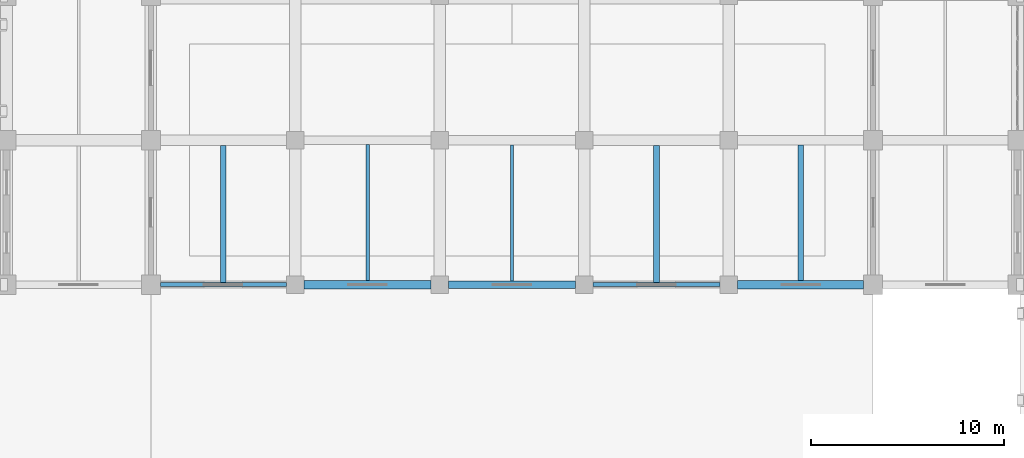
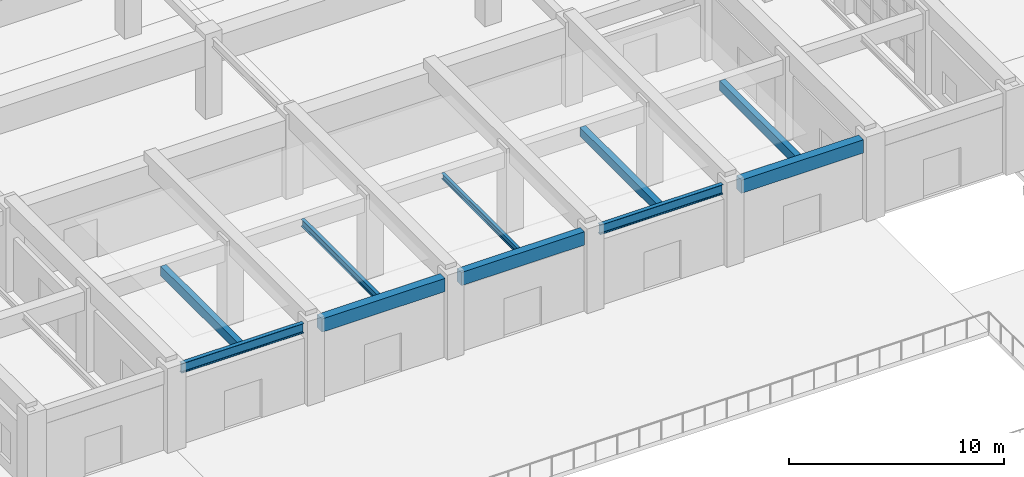
# One storey, part 23 of 122: 10 beams.
"""IFC4 building model written with IfcOpenShell, lengths in metres."""

from ifc_helpers import new_model, si_unit, direction, frame, origin, origin_2d, place, context, subcontext, project, spatial, rectangle, i_section, extrude, material, material_profile, profile_set, type_object, element, save


model = new_model("IFC4")

# Units and contexts
model_context = context("Model", 3, precision=1e-05, world=origin(), true_north=direction((0.0, 1.0)))
body_context = subcontext(model_context, "Body", "Model", "MODEL_VIEW")
ifc_project = project(units=[si_unit("LENGTHUNIT", "METRE"), si_unit("AREAUNIT", "SQUARE_METRE"), si_unit("VOLUMEUNIT", "CUBIC_METRE"), si_unit("PLANEANGLEUNIT", "RADIAN"), si_unit("MASSUNIT", "GRAM", prefix="KILO")], contexts=[model_context])

# Site, building, storey
site_placement = place(None, origin())
site = spatial("IfcSite", under=ifc_project, at=site_placement, CompositionType="ELEMENT")
building_placement = place(site_placement, origin())
building = spatial("IfcBuilding", under=site, at=building_placement, Name="Qasida Concert Hall", CompositionType="ELEMENT")
storey_placement = place(building_placement, origin())
storey = spatial("IfcBuildingStorey", under=building, at=storey_placement, Name="L00", CompositionType="ELEMENT", Elevation=0.0)

# Beams
ifc_material_1 = material(Name="Concrete C40/50", Category="concrete")
ifc_material_profile_1 = material_profile(ifc_material_1, rectangle(XDim=0.300048828125, YDim=0.550048828125, at=origin_2d()), Name="RC 300x550")
ifc_profile_set_1 = profile_set([ifc_material_profile_1], Name="Concrete C40/50")
beam_type_1 = type_object("IfcBeamType", Name="BM-J1", PredefinedType="JOIST", material=ifc_profile_set_1)
beam_1_placement = place(storey_placement, frame((63.75, 22.60498046875, 4.22509765625), z_axis=(0.0, 1.0, 0.0), x_axis=(-1.0, 0.0, 0.0)))
element("IfcBeam", 1, at=beam_1_placement, inside=storey, type_object=beam_type_1, Name="L00 secondary joist 0448", PredefinedType="JOIST", context=body_context, shape_type="SweptSolid", body=[
    extrude(rectangle(XDim=0.300048828125, YDim=0.550048828125, at=origin_2d()), origin(), (0.0, 0.0, 1.0), 7.135009765625),
])
beam_2_placement = place(storey_placement, frame((93.75, 22.72509765625, 4.22509765625), z_axis=(0.0, 1.0, 0.0), x_axis=(-1.0, 0.0, 0.0)))
element("IfcBeam", 2, at=beam_2_placement, inside=storey, type_object=beam_type_1, Name="L00 secondary joist 0456", PredefinedType="JOIST", context=body_context, shape_type="SweptSolid", body=[
    extrude(rectangle(XDim=0.300048828125, YDim=0.550048828125, at=origin_2d()), origin(), (0.0, 0.0, 1.0), 7.034912109375),
])
ifc_material_2 = material(Name="Steel S355J2", Category="steel")
ifc_material_profile_2 = material_profile(ifc_material_2, i_section(OverallWidth=0.179931640625, OverallDepth=0.39990234375, WebThickness=0.008544921875, FlangeThickness=0.013427734375, FilletRadius=0.02099609375, at=origin_2d()), Name="IPE 400")
ifc_profile_set_2 = profile_set([ifc_material_profile_2], Name="Steel S355J2")
beam_type_2 = type_object("IfcBeamType", Name="BM-J3", PredefinedType="JOIST", material=ifc_profile_set_2)
beam_3_placement = place(storey_placement, frame((71.25, 22.72509765625, 4.300048828125), z_axis=(0.0, 1.0, 0.0), x_axis=(-1.0, 0.0, 0.0)))
element("IfcBeam", 3, at=beam_3_placement, inside=storey, type_object=beam_type_2, Name="L00 secondary joist 0450", PredefinedType="JOIST", context=body_context, shape_type="SweptSolid", body=[
    extrude(i_section(OverallWidth=0.179931640625, OverallDepth=0.39990234375, WebThickness=0.008544921875, FlangeThickness=0.013427734375, FilletRadius=0.02099609375, at=origin_2d()), origin(), (0.0, 0.0, 1.0), 7.0498046875),
])
ifc_material_profile_3 = material_profile(ifc_material_2, i_section(OverallWidth=0.159912109375, OverallDepth=0.330078125, WebThickness=0.007568359375, FlangeThickness=0.011474609375, FilletRadius=0.01806640625, at=origin_2d()), Name="IPE 330")
ifc_profile_set_3 = profile_set([ifc_material_profile_3], Name="Steel S355J2")
beam_type_3 = type_object("IfcBeamType", Name="BM-J5", PredefinedType="JOIST", material=ifc_profile_set_3)
beam_4_placement = place(storey_placement, frame((78.75, 22.699951171875, 4.3349609375), z_axis=(0.0, 1.0, 0.0), x_axis=(-1.0, 0.0, 0.0)))
element("IfcBeam", 4, at=beam_4_placement, inside=storey, type_object=beam_type_3, Name="L00 secondary joist 0452", PredefinedType="JOIST", context=body_context, shape_type="SweptSolid", body=[
    extrude(i_section(OverallWidth=0.159912109375, OverallDepth=0.330078125, WebThickness=0.007568359375, FlangeThickness=0.011474609375, FilletRadius=0.01806640625, at=origin_2d()), origin(), (0.0, 0.0, 1.0), 7.050048828125),
])
ifc_material_profile_4 = material_profile(ifc_material_1, rectangle(XDim=0.320068359375, YDim=0.5, at=origin_2d()), Name="RC 320x500")
ifc_profile_set_4 = profile_set([ifc_material_profile_4], Name="Concrete C40/50")
beam_type_4 = type_object("IfcBeamType", Name="BM-J7", PredefinedType="JOIST", material=ifc_profile_set_4)
beam_5_placement = place(storey_placement, frame((86.25, 22.60498046875, 4.25), z_axis=(0.0, 1.0, 0.0), x_axis=(-1.0, 0.0, 0.0)))
element("IfcBeam", 5, at=beam_5_placement, inside=storey, type_object=beam_type_4, Name="L00 secondary joist 0454", PredefinedType="JOIST", context=body_context, shape_type="SweptSolid", body=[
    extrude(rectangle(XDim=0.320068359375, YDim=0.5, at=origin_2d()), origin(), (0.0, 0.0, 1.0), 7.135009765625),
])
ifc_material_profile_5 = material_profile(ifc_material_1, rectangle(XDim=0.39990234375, YDim=0.75, at=origin_2d()), Name="RC 400x750")
ifc_profile_set_5 = profile_set([ifc_material_profile_5], Name="Concrete C40/50")
beam_type_5 = type_object("IfcBeamType", Name="BM-SP1", PredefinedType="SPANDREL", material=ifc_profile_set_5)
beam_6_placement = place(storey_placement, frame((75.449951171875, 22.5, 4.125), z_axis=(1.0, 0.0, 0.0), x_axis=(0.0, 1.0, 0.0)))
element("IfcBeam", 6, at=beam_6_placement, inside=storey, type_object=beam_type_5, Name="Primary girder 0354", PredefinedType="SPANDREL", context=body_context, shape_type="SweptSolid", body=[
    extrude(rectangle(XDim=0.39990234375, YDim=0.75, at=origin_2d()), origin(), (0.0, 0.0, 1.0), 6.60009765625),
])
ifc_material_profile_6 = material_profile(ifc_material_2, i_section(OverallWidth=0.2099609375, OverallDepth=0.550048828125, WebThickness=0.010986328125, FlangeThickness=0.01708984375, FilletRadius=0.02392578125, at=origin_2d()), Name="IPE 550")
ifc_profile_set_6 = profile_set([ifc_material_profile_6], Name="Steel S355J2")
beam_type_6 = type_object("IfcBeamType", Name="BM-SP2", PredefinedType="SPANDREL", material=ifc_profile_set_6)
beam_7_placement = place(storey_placement, frame((60.5, 22.5, 4.22509765625), z_axis=(1.0, 0.0, 0.0), x_axis=(0.0, 1.0, 0.0)))
element("IfcBeam", 7, at=beam_7_placement, inside=storey, type_object=beam_type_6, Name="Primary girder 0352", PredefinedType="SPANDREL", context=body_context, shape_type="SweptSolid", body=[
    extrude(i_section(OverallWidth=0.2099609375, OverallDepth=0.550048828125, WebThickness=0.010986328125, FlangeThickness=0.01708984375, FilletRadius=0.02392578125, at=origin_2d()), origin(), (0.0, 0.0, 1.0), 6.550048828125),
])
beam_8_placement = place(storey_placement, frame((82.949951171875, 22.5, 4.22509765625), z_axis=(1.0, 0.0, 0.0), x_axis=(0.0, 1.0, 0.0)))
element("IfcBeam", 8, at=beam_8_placement, inside=storey, type_object=beam_type_6, Name="Primary girder 0355", PredefinedType="SPANDREL", context=body_context, shape_type="SweptSolid", body=[
    extrude(i_section(OverallWidth=0.2099609375, OverallDepth=0.550048828125, WebThickness=0.010986328125, FlangeThickness=0.01708984375, FilletRadius=0.02392578125, at=origin_2d()), origin(), (0.0, 0.0, 1.0), 6.60009765625),
])
ifc_material_profile_7 = material_profile(ifc_material_1, rectangle(XDim=0.449951171875, YDim=0.75, at=origin_2d()), Name="RC 450x750")
ifc_profile_set_7 = profile_set([ifc_material_profile_7], Name="Concrete C40/50")
beam_type_7 = type_object("IfcBeamType", Name="BM-SP4", PredefinedType="SPANDREL", material=ifc_profile_set_7)
beam_9_placement = place(storey_placement, frame((67.949951171875, 22.5, 4.125), z_axis=(1.0, 0.0, 0.0), x_axis=(0.0, 1.0, 0.0)))
element("IfcBeam", 9, at=beam_9_placement, inside=storey, type_object=beam_type_7, Name="Primary girder 0353", PredefinedType="SPANDREL", context=body_context, shape_type="SweptSolid", body=[
    extrude(rectangle(XDim=0.449951171875, YDim=0.75, at=origin_2d()), origin(), (0.0, 0.0, 1.0), 6.60009765625),
])
beam_10_placement = place(storey_placement, frame((90.449951171875, 22.5, 4.125), z_axis=(1.0, 0.0, 0.0), x_axis=(0.0, 1.0, 0.0)))
element("IfcBeam", 10, at=beam_10_placement, inside=storey, type_object=beam_type_7, Name="Primary girder 0356", PredefinedType="SPANDREL", context=body_context, shape_type="SweptSolid", body=[
    extrude(rectangle(XDim=0.449951171875, YDim=0.75, at=origin_2d()), origin(), (0.0, 0.0, 1.0), 6.550048828125),
])

save(model, "model.ifc")
